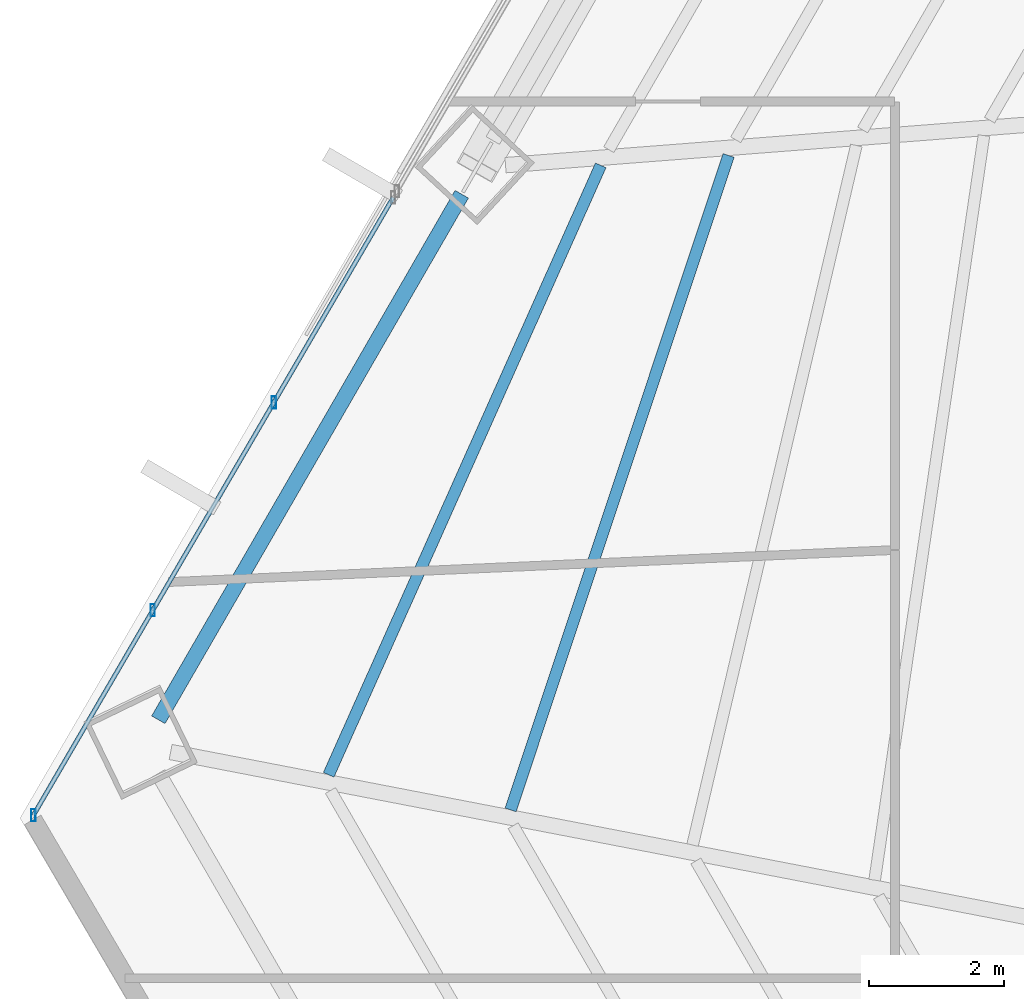
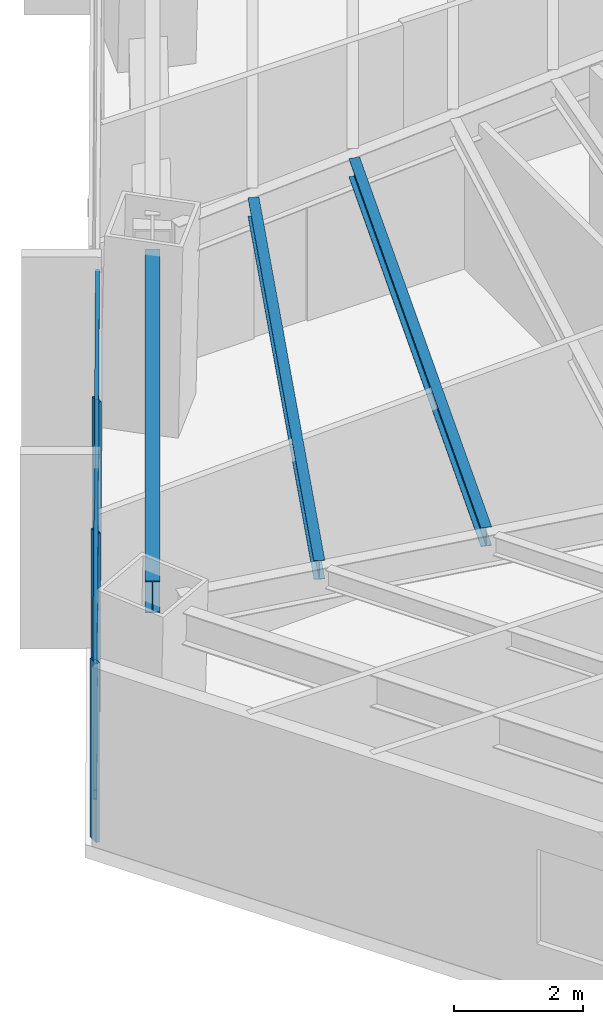
# One storey, part 8 of 33: 5 members, 3 beams, 1 element without a shape of its own.
"""IFC4 building model written with IfcOpenShell, lengths in metres."""

from ifc_helpers import new_model, si_unit, direction, frame, origin, origin_2d, place, context, subcontext, project, spatial, hollow_rectangle, i_section, extrude, source, transform, mapped, material, material_profile, profile_set, type_object, type_shapes, element, aggregate, save


model = new_model("IFC4")

# Units and contexts
model_context = context("Model", 3, precision=1e-05, world=origin(), true_north=direction((0.0, 1.0)))
body_context = subcontext(model_context, "Body", "Model", "MODEL_VIEW")
ifc_project = project(units=[si_unit("LENGTHUNIT", "METRE"), si_unit("AREAUNIT", "SQUARE_METRE"), si_unit("VOLUMEUNIT", "CUBIC_METRE"), si_unit("PLANEANGLEUNIT", "RADIAN"), si_unit("MASSUNIT", "GRAM", prefix="KILO")], contexts=[model_context])

# Site, building, storey
site_placement = place(None, origin())
site = spatial("IfcSite", under=ifc_project, at=site_placement, CompositionType="ELEMENT")
building_placement = place(site_placement, origin())
building = spatial("IfcBuilding", under=site, at=building_placement, Name="Caelisora Broadcast Tower", CompositionType="ELEMENT")
storey_placement = place(building_placement, frame((0.0, 0.0, 42.199951171875)))
storey = spatial("IfcBuildingStorey", under=building, at=storey_placement, Name="L10", CompositionType="ELEMENT", Elevation=42.199951171875)

# Beams
ifc_material_1 = material(Name="Steel Grade 350 (AS/NZS 3679.1)", Category="steel")
ifc_material_profile_1 = material_profile(ifc_material_1, i_section(OverallWidth=0.22900390625, OverallDepth=0.611572265625, WebThickness=0.011962890625, FlangeThickness=0.01953125, at=origin_2d()), Name="Steel Grade 350 (AS/NZS 3679.1)")
ifc_profile_set_1 = profile_set([ifc_material_profile_1], Name="Steel Grade 350 (AS/NZS 3679.1)")
beam_type_1 = type_object("IfcBeamType", Name="PG03", PredefinedType="BEAM", material=ifc_profile_set_1)
shared_shape_1 = source(origin(), body_context, "Body", "SweptSolid", [
    extrude(i_section(OverallWidth=0.22900390625, OverallDepth=0.611572265625, WebThickness=0.011962890625, FlangeThickness=0.01953125, at=origin_2d()), origin(), (0.0, 0.0, 1.0), 8.99853515625),
])
type_shapes(beam_type_1, [shared_shape_1])
beam_1_placement = place(storey_placement, frame((18.9755859375, 28.725830078125, 3.09423828125), z_axis=(-0.499999580976, -0.866025645708, 0.0), x_axis=(0.866025645708, -0.499999580976, 0.0)))
element("IfcBeam", 1, at=beam_1_placement, inside=storey, type_object=beam_type_1, Name="L10 beam PG03", PredefinedType="BEAM", context=body_context, shape_type="MappedRepresentation", body=[
    mapped(shared_shape_1, transform((0.0, 0.0, 0.0), scale=1.0)),
])
ifc_material_profile_2 = material_profile(ifc_material_1, i_section(OverallWidth=0.172119140625, OverallDepth=0.358642578125, WebThickness=0.008056640625, FlangeThickness=0.012939453125, at=origin_2d()), Name="Steel Grade 350 (AS/NZS 3679.1)")
ifc_profile_set_2 = profile_set([ifc_material_profile_2], Name="Steel Grade 350 (AS/NZS 3679.1)")
beam_type_2 = type_object("IfcBeamType", Name="SB02", PredefinedType="JOIST", material=ifc_profile_set_2)
shared_shape_2 = source(origin(), body_context, "Body", "SweptSolid", [
    extrude(i_section(OverallWidth=0.172119140625, OverallDepth=0.358642578125, WebThickness=0.008056640625, FlangeThickness=0.012939453125, at=origin_2d()), origin(), (0.0, 0.0, 1.0), 10.22998046875),
])
beam_2_placement = place(storey_placement, frame((22.932373046875, 29.3017578125, 3.220703125), z_axis=(-0.31599865121, -0.948759638915, 0.0), x_axis=(0.948759638915, -0.31599865121, 0.0)))
element("IfcBeam", 2, at=beam_2_placement, inside=storey, type_object=beam_type_2, Name="L10 beam SB02", PredefinedType="JOIST", context=body_context, shape_type="MappedRepresentation", body=[
    mapped(shared_shape_2, transform((0.0, 0.0, 0.0), scale=1.0)),
])
shared_shape_3 = source(origin(), body_context, "Body", "SweptSolid", [
    extrude(i_section(OverallWidth=0.172119140625, OverallDepth=0.358642578125, WebThickness=0.008056640625, FlangeThickness=0.012939453125, at=origin_2d()), origin(), (0.0, 0.0, 1.0), 9.89794921875),
])
type_shapes(beam_type_2, [shared_shape_2, shared_shape_3])
beam_3_placement = place(storey_placement, frame((21.036376953125, 29.154541015625, 3.220703125), z_axis=(-0.407625499005, -0.913149195127, 0.0), x_axis=(0.913149195127, -0.407625499005, 0.0)))
element("IfcBeam", 3, at=beam_3_placement, inside=storey, type_object=beam_type_2, Name="L10 beam SB02", PredefinedType="JOIST", context=body_context, shape_type="MappedRepresentation", body=[
    mapped(shared_shape_3, transform((0.0, 0.0, 0.0), scale=1.0)),
])

# Curtain wall, members
ifc_material_2 = material(Name="Unitised Aluminium and Low-E Glass Curtain Wall", Category="glass")
curtain_wall_type = type_object("IfcCurtainWallType", Name="CW-Z1", PredefinedType="NOTDEFINED", material=ifc_material_2)
curtain_wall_placement = place(storey_placement, origin())
curtain_wall = element("IfcCurtainWall", 4, at=curtain_wall_placement, inside=storey, type_object=curtain_wall_type, Name="L10 curtain wall CW-Z1", PredefinedType="NOTDEFINED")
ifc_material_3 = material(Name="Aluminium 6063-T6 Anodised Terracotta Bronze", Category="aluminium")
ifc_material_profile_3 = material_profile(ifc_material_3, hollow_rectangle(XDim=0.06494140625, YDim=0.179931640625, WallThickness=0.00341796875, at=origin_2d()), Name="Aluminium 6063-T6 Anodised Terracotta Bronze")
ifc_profile_set_3 = profile_set([ifc_material_profile_3], Name="Aluminium 6063-T6 Anodised Terracotta Bronze")
member_type_1 = type_object("IfcMemberType", Name="CWM-02", PredefinedType="MULLION", material=ifc_profile_set_3)
shared_shape_4 = source(origin(), body_context, "Body", "SweptSolid", [
    extrude(hollow_rectangle(XDim=0.06494140625, YDim=0.179931640625, WallThickness=0.00341796875, at=origin_2d()), origin(), (0.0, 0.0, 1.0), 3.400146484375),
])
type_shapes(member_type_1, [shared_shape_4])
member_1_placement = place(storey_placement, frame((12.624267578125, 19.51708984375, 0.0), z_axis=(0.0, 0.0, 1.0), x_axis=(1.0, 0.0, 0.0)))
member_1 = element("IfcMember", 5, at=member_1_placement, type_object=member_type_1, Name="L10-CW-B09 mullion #0", PredefinedType="MULLION", context=body_context, shape_type="MappedRepresentation", body=[
    mapped(shared_shape_4, transform((0.0, 0.0, 0.0), scale=1.0)),
])
member_2_placement = place(storey_placement, frame((14.39404296875, 22.55615234375, 0.0), z_axis=(0.0, 0.0, 1.0), x_axis=(1.0, 0.0, 0.0)))
member_2 = element("IfcMember", 6, at=member_2_placement, type_object=member_type_1, Name="L10-CW-B09 mullion #1", PredefinedType="MULLION", context=body_context, shape_type="MappedRepresentation", body=[
    mapped(shared_shape_4, transform((0.0, 0.0, 0.0), scale=1.0)),
])
member_3_placement = place(storey_placement, frame((16.189208984375, 25.63818359375, 0.0), z_axis=(0.0, 0.0, 1.0), x_axis=(1.0, 0.0, 0.0)))
member_3 = element("IfcMember", 7, at=member_3_placement, type_object=member_type_1, Name="L10-CW-B09 mullion #2", PredefinedType="MULLION", context=body_context, shape_type="MappedRepresentation", body=[
    mapped(shared_shape_4, transform((0.0, 0.0, 0.0), scale=1.0)),
])
ifc_material_profile_4 = material_profile(ifc_material_3, hollow_rectangle(XDim=0.06494140625, YDim=0.179931640625, WallThickness=0.00341796875, at=origin_2d()), Name="Aluminium 6063-T6 Anodised Terracotta Bronze")
ifc_profile_set_4 = profile_set([ifc_material_profile_4], Name="Aluminium 6063-T6 Anodised Terracotta Bronze")
member_type_2 = type_object("IfcMemberType", Name="CWT-01", PredefinedType="USERDEFINED", material=ifc_profile_set_4)
shared_shape_5 = source(origin(), body_context, "Body", "SweptSolid", [
    extrude(hollow_rectangle(XDim=0.06494140625, YDim=0.179931640625, WallThickness=0.00341796875, at=origin_2d()), origin(), (0.0, 0.0, 1.0), 10.60009765625),
])
type_shapes(member_type_2, [shared_shape_5])
member_4_placement = place(storey_placement, frame((12.624267578125, 19.51708984375, 0.85009765625), z_axis=(0.50326801839, 0.864130373072, 0.0), x_axis=(-0.864130373072, 0.50326801839, 0.0)))
member_4 = element("IfcMember", 8, at=member_4_placement, type_object=member_type_2, Name="L10-CW-B09 transom #1", ObjectType="TRANSOM", PredefinedType="USERDEFINED", context=body_context, shape_type="MappedRepresentation", body=[
    mapped(shared_shape_5, transform((0.0, 0.0, 0.0), scale=1.0)),
])
member_5_placement = place(storey_placement, frame((12.624267578125, 19.51708984375, 3.320068359375), z_axis=(0.50326801839, 0.864130373072, 0.0), x_axis=(-0.864130373072, 0.50326801839, 0.0)))
member_5 = element("IfcMember", 9, at=member_5_placement, type_object=member_type_2, Name="L10-CW-B09 transom #2", ObjectType="TRANSOM", PredefinedType="USERDEFINED", context=body_context, shape_type="MappedRepresentation", body=[
    mapped(shared_shape_5, transform((0.0, 0.0, 0.0), scale=1.0)),
])
aggregate(curtain_wall, [member_1, member_2, member_3, member_4, member_5])

save(model, "model.ifc")
